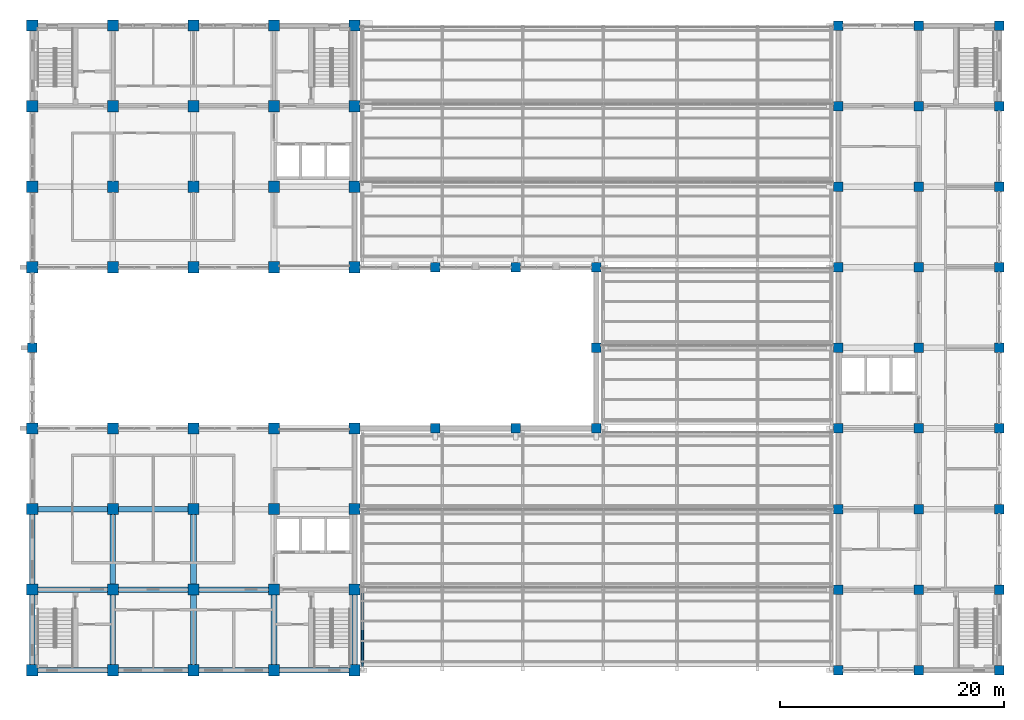
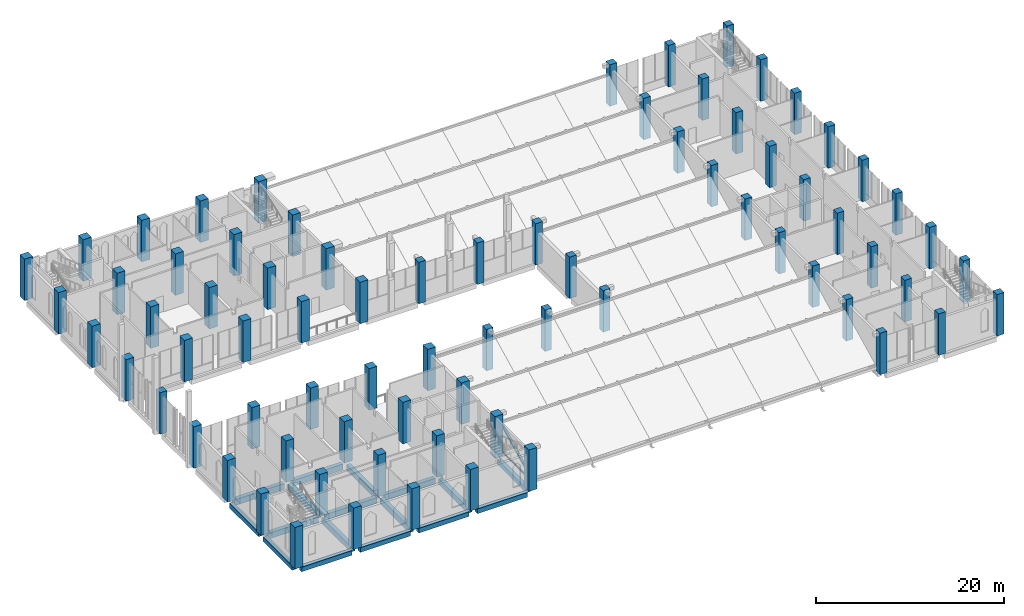
# One storey, part 1 of 83: 75 columns, 17 beams, 2 members.
"""IFC4 building model written with IfcOpenShell, lengths in metres."""

from ifc_helpers import new_model, si_unit, direction, frame, origin, origin_2d, place, context, subcontext, project, spatial, rectangle, hollow_rectangle, i_section, extrude, material, material_profile, profile_set, type_object, element, save


model = new_model("IFC4")

# Units and contexts
model_context = context("Model", 3, precision=1e-05, world=origin(), true_north=direction((0.0, 1.0)))
body_context = subcontext(model_context, "Body", "Model", "MODEL_VIEW")
ifc_project = project(units=[si_unit("LENGTHUNIT", "METRE"), si_unit("AREAUNIT", "SQUARE_METRE"), si_unit("VOLUMEUNIT", "CUBIC_METRE"), si_unit("PLANEANGLEUNIT", "RADIAN"), si_unit("MASSUNIT", "GRAM", prefix="KILO")], contexts=[model_context])

# Site, building, storey
site_placement = place(None, origin())
site = spatial("IfcSite", under=ifc_project, at=site_placement, CompositionType="ELEMENT")
building_placement = place(site_placement, origin())
building = spatial("IfcBuilding", under=site, at=building_placement, Name="Silangan Lancet Faculty of Sciences", CompositionType="ELEMENT")
storey_placement = place(building_placement, frame((0.0, 0.0, 11.39990234375)))
storey = spatial("IfcBuildingStorey", under=building, at=storey_placement, Name="L02", CompositionType="ELEMENT", Elevation=11.39990234375)

# Columns
ifc_material_1 = material(Name="Concrete C50/60", Category="concrete")
ifc_material_profile_1 = material_profile(ifc_material_1, rectangle(XDim=1.0, YDim=1.0, at=origin_2d()), Name="RC 1000x1000")
ifc_profile_set_1 = profile_set([ifc_material_profile_1], Name="Concrete C50/60")
column_type_1 = type_object("IfcColumnType", Name="COLUMN RC 1000x1000", PredefinedType="COLUMN", material=ifc_profile_set_1)
for number, where, z_axis, x_axis, name in (
    (1, (0.0, 0.0, 0.0), (0.0, 0.0, 1.0), (1.0, 0.0, 0.0), "COL-L02-1A"),
    (2, (0.0, 7.199951171875, 0.0), (0.0, 0.0, 1.0), (1.0, 0.0, 0.0), "COL-L02-1B"),
    (3, (0.0, 14.39990234375, 0.0), (0.0, 0.0, 1.0), (1.0, 0.0, 0.0), "COL-L02-1C"),
    (4, (0.0, 21.60009765625, 0.0), (0.0, 0.0, 1.0), (1.0, 0.0, 0.0), "COL-L02-1D"),
    (5, (0.0, 36.0, 0.0), (0.0, 0.0, 1.0), (1.0, 0.0, 0.0), "COL-L02-1F"),
    (6, (0.0, 43.199951171875, 0.0), (0.0, 0.0, 1.0), (1.0, 0.0, 0.0), "COL-L02-1G"),
    (7, (0.0, 50.39990234375, 0.0), (0.0, 0.0, 1.0), (1.0, 0.0, 0.0), "COL-L02-1H"),
    (8, (0.0, 57.60009765625, 0.0), (0.0, 0.0, 1.0), (1.0, 0.0, 0.0), "COL-L02-1I"),
    (9, (7.199951171875, 0.0, 0.0), (0.0, 0.0, 1.0), (1.0, 0.0, 0.0), "COL-L02-2A"),
    (10, (7.199951171875, 7.199951171875, 0.0), (0.0, 0.0, 1.0), (1.0, 0.0, 0.0), "COL-L02-2B"),
    (11, (7.199951171875, 14.39990234375, 0.0), (0.0, 0.0, 1.0), (1.0, 0.0, 0.0), "COL-L02-2C"),
    (12, (7.199951171875, 21.60009765625, 0.0), (0.0, 0.0, 1.0), (1.0, 0.0, 0.0), "COL-L02-2D"),
    (13, (7.199951171875, 36.0, 0.0), (0.0, 0.0, 1.0), (1.0, 0.0, 0.0), "COL-L02-2F"),
    (14, (7.199951171875, 43.199951171875, 0.0), (0.0, 0.0, 1.0), (1.0, 0.0, 0.0), "COL-L02-2G"),
    (15, (7.199951171875, 50.39990234375, 0.0), (0.0, 0.0, 1.0), (1.0, 0.0, 0.0), "COL-L02-2H"),
    (16, (7.199951171875, 57.60009765625, 0.0), (0.0, 0.0, 1.0), (1.0, 0.0, 0.0), "COL-L02-2I"),
    (17, (14.39990234375, 0.0, 0.0), (0.0, 0.0, 1.0), (1.0, 0.0, 0.0), "COL-L02-3A"),
    (18, (14.39990234375, 7.199951171875, 0.0), (0.0, 0.0, 1.0), (1.0, 0.0, 0.0), "COL-L02-3B"),
    (19, (14.39990234375, 14.39990234375, 0.0), (0.0, 0.0, 1.0), (1.0, 0.0, 0.0), "COL-L02-3C"),
    (20, (14.39990234375, 21.60009765625, 0.0), (0.0, 0.0, 1.0), (1.0, 0.0, 0.0), "COL-L02-3D"),
    (21, (14.39990234375, 36.0, 0.0), (0.0, 0.0, 1.0), (1.0, 0.0, 0.0), "COL-L02-3F"),
    (22, (14.39990234375, 43.199951171875, 0.0), (0.0, 0.0, 1.0), (1.0, 0.0, 0.0), "COL-L02-3G"),
    (23, (14.39990234375, 50.39990234375, 0.0), (0.0, 0.0, 1.0), (1.0, 0.0, 0.0), "COL-L02-3H"),
    (24, (14.39990234375, 57.60009765625, 0.0), (0.0, 0.0, 1.0), (1.0, 0.0, 0.0), "COL-L02-3I"),
    (25, (21.60009765625, 0.0, 0.0), (0.0, 0.0, 1.0), (1.0, 0.0, 0.0), "COL-L02-4A"),
    (26, (21.60009765625, 7.199951171875, 0.0), (0.0, 0.0, 1.0), (1.0, 0.0, 0.0), "COL-L02-4B"),
    (27, (21.60009765625, 14.39990234375, 0.0), (0.0, 0.0, 1.0), (1.0, 0.0, 0.0), "COL-L02-4C"),
    (28, (21.60009765625, 21.60009765625, 0.0), (0.0, 0.0, 1.0), (1.0, 0.0, 0.0), "COL-L02-4D"),
    (29, (21.60009765625, 36.0, 0.0), (0.0, 0.0, 1.0), (1.0, 0.0, 0.0), "COL-L02-4F"),
    (30, (21.60009765625, 43.199951171875, 0.0), (0.0, 0.0, 1.0), (1.0, 0.0, 0.0), "COL-L02-4G"),
    (31, (21.60009765625, 50.39990234375, 0.0), (0.0, 0.0, 1.0), (1.0, 0.0, 0.0), "COL-L02-4H"),
    (32, (21.60009765625, 57.60009765625, 0.0), (0.0, 0.0, 1.0), (1.0, 0.0, 0.0), "COL-L02-4I"),
    (33, (28.800048828125, 0.0, 0.0), (0.0, 0.0, 1.0), (1.0, 0.0, 0.0), "COL-L02-5A"),
    (34, (28.800048828125, 7.199951171875, 0.0), (0.0, 0.0, 1.0), (1.0, 0.0, 0.0), "COL-L02-5B"),
    (35, (28.800048828125, 14.39990234375, 0.0), (0.0, 0.0, 1.0), (1.0, 0.0, 0.0), "COL-L02-5C"),
    (36, (28.800048828125, 21.60009765625, 0.0), (0.0, 0.0, 1.0), (1.0, 0.0, 0.0), "COL-L02-5D"),
    (37, (28.800048828125, 36.0, 0.0), (0.0, 0.0, 1.0), (1.0, 0.0, 0.0), "COL-L02-5F"),
    (38, (28.800048828125, 43.199951171875, 0.0), (0.0, 0.0, 1.0), (1.0, 0.0, 0.0), "COL-L02-5G"),
    (39, (28.800048828125, 50.39990234375, 0.0), (0.0, 0.0, 1.0), (1.0, 0.0, 0.0), "COL-L02-5H"),
    (40, (28.800048828125, 57.60009765625, 0.0), (0.0, 0.0, 1.0), (1.0, 0.0, 0.0), "COL-L02-5I"),
):
    element("IfcColumn", number, at=place(storey_placement, frame(where, z_axis=z_axis, x_axis=x_axis)), inside=storey, type_object=column_type_1, Name=name, PredefinedType="COLUMN", context=body_context, shape_type="SweptSolid", body=[
        extrude(rectangle(XDim=1.0, YDim=1.0, at=origin_2d()), origin(), (0.0, 0.0, 1.0), 5.400146484375),
    ])
ifc_material_2 = material(Name="Concrete C40/50", Category="concrete")
ifc_material_profile_2 = material_profile(ifc_material_2, rectangle(XDim=0.85009765625, YDim=0.85009765625, at=origin_2d()), Name="RC 850x850")
ifc_profile_set_2 = profile_set([ifc_material_profile_2], Name="Concrete C40/50")
column_type_2 = type_object("IfcColumnType", Name="COLUMN RC 850x850", PredefinedType="COLUMN", material=ifc_profile_set_2)
for number, where, z_axis, x_axis, name in (
    (41, (0.0, 28.800048828125, 0.0), (0.0, 0.0, 1.0), (1.0, 0.0, 0.0), "COL-L02-1E"),
    (42, (36.0, 21.60009765625, 0.0), (0.0, 0.0, 1.0), (1.0, 0.0, 0.0), "COL-L02-6D"),
    (43, (36.0, 36.0, 0.0), (0.0, 0.0, 1.0), (1.0, 0.0, 0.0), "COL-L02-6F"),
    (44, (43.199951171875, 21.60009765625, 0.0), (0.0, 0.0, 1.0), (1.0, 0.0, 0.0), "COL-L02-7D"),
    (45, (43.199951171875, 36.0, 0.0), (0.0, 0.0, 1.0), (1.0, 0.0, 0.0), "COL-L02-7F"),
    (46, (50.39990234375, 21.60009765625, 0.0), (0.0, 0.0, 1.0), (1.0, 0.0, 0.0), "COL-L02-8D"),
    (47, (50.39990234375, 28.800048828125, 0.0), (0.0, 0.0, 1.0), (1.0, 0.0, 0.0), "COL-L02-8E"),
    (48, (50.39990234375, 36.0, 0.0), (0.0, 0.0, 1.0), (1.0, 0.0, 0.0), "COL-L02-8F"),
    (49, (72.0, 0.0, 0.0), (0.0, 0.0, 1.0), (1.0, 0.0, 0.0), "COL-L02-11A"),
    (50, (72.0, 7.199951171875, 0.0), (0.0, 0.0, 1.0), (1.0, 0.0, 0.0), "COL-L02-11B"),
    (51, (72.0, 14.39990234375, 0.0), (0.0, 0.0, 1.0), (1.0, 0.0, 0.0), "COL-L02-11C"),
    (52, (72.0, 21.60009765625, 0.0), (0.0, 0.0, 1.0), (1.0, 0.0, 0.0), "COL-L02-11D"),
    (53, (72.0, 28.800048828125, 0.0), (0.0, 0.0, 1.0), (1.0, 0.0, 0.0), "COL-L02-11E"),
    (54, (72.0, 36.0, 0.0), (0.0, 0.0, 1.0), (1.0, 0.0, 0.0), "COL-L02-11F"),
    (55, (72.0, 43.199951171875, 0.0), (0.0, 0.0, 1.0), (1.0, 0.0, 0.0), "COL-L02-11G"),
    (56, (72.0, 50.39990234375, 0.0), (0.0, 0.0, 1.0), (1.0, 0.0, 0.0), "COL-L02-11H"),
    (57, (72.0, 57.60009765625, 0.0), (0.0, 0.0, 1.0), (1.0, 0.0, 0.0), "COL-L02-11I"),
    (58, (79.199951171875, 0.0, 0.0), (0.0, 0.0, 1.0), (1.0, 0.0, 0.0), "COL-L02-12A"),
    (59, (79.199951171875, 7.199951171875, 0.0), (0.0, 0.0, 1.0), (1.0, 0.0, 0.0), "COL-L02-12B"),
    (60, (79.199951171875, 14.39990234375, 0.0), (0.0, 0.0, 1.0), (1.0, 0.0, 0.0), "COL-L02-12C"),
    (61, (79.199951171875, 21.60009765625, 0.0), (0.0, 0.0, 1.0), (1.0, 0.0, 0.0), "COL-L02-12D"),
    (62, (79.199951171875, 28.800048828125, 0.0), (0.0, 0.0, 1.0), (1.0, 0.0, 0.0), "COL-L02-12E"),
    (63, (79.199951171875, 36.0, 0.0), (0.0, 0.0, 1.0), (1.0, 0.0, 0.0), "COL-L02-12F"),
    (64, (79.199951171875, 43.199951171875, 0.0), (0.0, 0.0, 1.0), (1.0, 0.0, 0.0), "COL-L02-12G"),
    (65, (79.199951171875, 50.39990234375, 0.0), (0.0, 0.0, 1.0), (1.0, 0.0, 0.0), "COL-L02-12H"),
    (66, (79.199951171875, 57.60009765625, 0.0), (0.0, 0.0, 1.0), (1.0, 0.0, 0.0), "COL-L02-12I"),
    (67, (86.39990234375, 0.0, 0.0), (0.0, 0.0, 1.0), (1.0, 0.0, 0.0), "COL-L02-13A"),
    (68, (86.39990234375, 7.199951171875, 0.0), (0.0, 0.0, 1.0), (1.0, 0.0, 0.0), "COL-L02-13B"),
    (69, (86.39990234375, 14.39990234375, 0.0), (0.0, 0.0, 1.0), (1.0, 0.0, 0.0), "COL-L02-13C"),
    (70, (86.39990234375, 21.60009765625, 0.0), (0.0, 0.0, 1.0), (1.0, 0.0, 0.0), "COL-L02-13D"),
    (71, (86.39990234375, 28.800048828125, 0.0), (0.0, 0.0, 1.0), (1.0, 0.0, 0.0), "COL-L02-13E"),
    (72, (86.39990234375, 36.0, 0.0), (0.0, 0.0, 1.0), (1.0, 0.0, 0.0), "COL-L02-13F"),
    (73, (86.39990234375, 43.199951171875, 0.0), (0.0, 0.0, 1.0), (1.0, 0.0, 0.0), "COL-L02-13G"),
    (74, (86.39990234375, 50.39990234375, 0.0), (0.0, 0.0, 1.0), (1.0, 0.0, 0.0), "COL-L02-13H"),
    (75, (86.39990234375, 57.60009765625, 0.0), (0.0, 0.0, 1.0), (1.0, 0.0, 0.0), "COL-L02-13I"),
):
    element("IfcColumn", number, at=place(storey_placement, frame(where, z_axis=z_axis, x_axis=x_axis)), inside=storey, type_object=column_type_2, Name=name, PredefinedType="COLUMN", context=body_context, shape_type="SweptSolid", body=[
        extrude(rectangle(XDim=0.85009765625, YDim=0.85009765625, at=origin_2d()), origin(), (0.0, 0.0, 1.0), 5.400146484375),
    ])

# Beams
ifc_material_3 = material(Name="Concrete C40/50", Category="concrete")
ifc_material_profile_3 = material_profile(ifc_material_3, rectangle(XDim=0.5, YDim=0.60009765625, at=origin_2d()), Name="RC 500x600")
ifc_profile_set_3 = profile_set([ifc_material_profile_3], Name="Concrete C40/50")
beam_type_1 = type_object("IfcBeamType", Name="BEAM RC 500x600", PredefinedType="BEAM", material=ifc_profile_set_3)
for number, where, z_axis, x_axis, name in (
    (76, (0.5, 0.0, -0.5498046875), (1.0, 0.0, 0.0), (0.0, 1.0, 0.0), "BM-L02-1A-2A"),
    (77, (7.699951171875, 0.0, -0.5498046875), (1.0, 0.0, 0.0), (0.0, 1.0, 0.0), "BM-L02-2A-3A"),
):
    element("IfcBeam", number, at=place(storey_placement, frame(where, z_axis=z_axis, x_axis=x_axis)), inside=storey, type_object=beam_type_1, Name=name, PredefinedType="BEAM", context=body_context, shape_type="SweptSolid", body=[
        extrude(rectangle(XDim=0.5, YDim=0.60009765625, at=origin_2d()), origin(), (0.0, 0.0, 1.0), 6.199951171875),
    ])
beam_1_placement = place(storey_placement, frame((14.89990234375, 0.0, -0.5498046875), z_axis=(1.0, 0.0, 0.0), x_axis=(0.0, 1.0, 0.0)))
element("IfcBeam", 78, at=beam_1_placement, inside=storey, type_object=beam_type_1, Name="BM-L02-3A-4A", PredefinedType="BEAM", context=body_context, shape_type="SweptSolid", body=[
    extrude(rectangle(XDim=0.5, YDim=0.60009765625, at=origin_2d()), origin(), (0.0, 0.0, 1.0), 6.2001953125),
])
for number, where, z_axis, x_axis, name in (
    (79, (22.10009765625, 0.0, -0.5498046875), (1.0, 0.0, 0.0), (0.0, 1.0, 0.0), "BM-L02-4A-5A"),
    (80, (0.0, 0.5, -0.5498046875), (0.0, 1.0, 0.0), (-1.0, 0.0, 0.0), "BM-L02-1A-1B"),
    (81, (0.0, 7.699951171875, -0.5498046875), (0.0, 1.0, 0.0), (-1.0, 0.0, 0.0), "BM-L02-1B-1C"),
    (82, (28.800048828125, 0.5, -0.5498046875), (0.0, 1.0, 0.0), (-1.0, 0.0, 0.0), "BM-L02-5A-5B"),
):
    element("IfcBeam", number, at=place(storey_placement, frame(where, z_axis=z_axis, x_axis=x_axis)), inside=storey, type_object=beam_type_1, Name=name, PredefinedType="BEAM", context=body_context, shape_type="SweptSolid", body=[
        extrude(rectangle(XDim=0.5, YDim=0.60009765625, at=origin_2d()), origin(), (0.0, 0.0, 1.0), 6.199951171875),
    ])
ifc_material_4 = material(Name="Concrete C40/50", Category="concrete")
ifc_material_profile_4 = material_profile(ifc_material_4, rectangle(XDim=0.5, YDim=0.75, at=origin_2d()), Name="RC 500x750")
ifc_profile_set_4 = profile_set([ifc_material_profile_4], Name="Concrete C40/50")
beam_type_2 = type_object("IfcBeamType", Name="BEAM RC 500x750", PredefinedType="BEAM", material=ifc_profile_set_4)
for number, where, z_axis, x_axis, name in (
    (83, (0.5, 7.199951171875, -0.625), (1.0, 0.0, 0.0), (0.0, 1.0, 0.0), "BM-L02-1B-2B"),
    (84, (7.699951171875, 7.199951171875, -0.625), (1.0, 0.0, 0.0), (0.0, 1.0, 0.0), "BM-L02-2B-3B"),
):
    element("IfcBeam", number, at=place(storey_placement, frame(where, z_axis=z_axis, x_axis=x_axis)), inside=storey, type_object=beam_type_2, Name=name, PredefinedType="BEAM", context=body_context, shape_type="SweptSolid", body=[
        extrude(rectangle(XDim=0.5, YDim=0.75, at=origin_2d()), origin(), (0.0, 0.0, 1.0), 6.199951171875),
    ])
beam_2_placement = place(storey_placement, frame((14.89990234375, 7.199951171875, -0.625), z_axis=(1.0, 0.0, 0.0), x_axis=(0.0, 1.0, 0.0)))
element("IfcBeam", 85, at=beam_2_placement, inside=storey, type_object=beam_type_2, Name="BM-L02-3B-4B", PredefinedType="BEAM", context=body_context, shape_type="SweptSolid", body=[
    extrude(rectangle(XDim=0.5, YDim=0.75, at=origin_2d()), origin(), (0.0, 0.0, 1.0), 6.2001953125),
])
for number, where, z_axis, x_axis, name in (
    (86, (0.5, 14.39990234375, -0.625), (1.0, 0.0, 0.0), (0.0, 1.0, 0.0), "BM-L02-1C-2C"),
    (87, (7.699951171875, 14.39990234375, -0.625), (1.0, 0.0, 0.0), (0.0, 1.0, 0.0), "BM-L02-2C-3C"),
    (88, (7.199951171875, 0.5, -0.625), (0.0, 1.0, 0.0), (-1.0, 0.0, 0.0), "BM-L02-2A-2B"),
    (89, (7.199951171875, 7.699951171875, -0.625), (0.0, 1.0, 0.0), (-1.0, 0.0, 0.0), "BM-L02-2B-2C"),
    (90, (14.39990234375, 0.5, -0.625), (0.0, 1.0, 0.0), (-1.0, 0.0, 0.0), "BM-L02-3A-3B"),
    (91, (14.39990234375, 7.699951171875, -0.625), (0.0, 1.0, 0.0), (-1.0, 0.0, 0.0), "BM-L02-3B-3C"),
    (92, (21.60009765625, 0.5, -0.625), (0.0, 1.0, 0.0), (-1.0, 0.0, 0.0), "BM-L02-4A-4B"),
):
    element("IfcBeam", number, at=place(storey_placement, frame(where, z_axis=z_axis, x_axis=x_axis)), inside=storey, type_object=beam_type_2, Name=name, PredefinedType="BEAM", context=body_context, shape_type="SweptSolid", body=[
        extrude(rectangle(XDim=0.5, YDim=0.75, at=origin_2d()), origin(), (0.0, 0.0, 1.0), 6.199951171875),
    ])

# Members
ifc_material_5 = material(Name="Steel STKR400", Category="steel")
ifc_material_profile_5 = material_profile(ifc_material_5, hollow_rectangle(XDim=0.14990234375, YDim=0.14990234375, WallThickness=0.009033203125, InnerFilletRadius=0.009033203125, OuterFilletRadius=0.01806640625, at=origin_2d()), Name="SHS 150x150x9.0")
ifc_profile_set_5 = profile_set([ifc_material_profile_5], Name="Steel STKR400")
member_type_1 = type_object("IfcMemberType", Name="Truss bottom chord SHS 150x150x9.0", PredefinedType="CHORD", material=ifc_profile_set_5)
member_1_placement = place(storey_placement, frame((29.5, 0.22998046875, 0.09521484375), z_axis=(0.0, 1.0, 0.0), x_axis=(-1.0, 0.0, 0.0)))
element("IfcMember", 93, at=member_1_placement, inside=storey, type_object=member_type_1, Name="Truss 1 bottom chord 1", PredefinedType="CHORD", context=body_context, shape_type="SweptSolid", body=[
    extrude(hollow_rectangle(XDim=0.14990234375, YDim=0.14990234375, WallThickness=0.009033203125, InnerFilletRadius=0.009033203125, OuterFilletRadius=0.01806640625, at=origin_2d()), origin(), (0.0, 0.0, 1.0), 6.961669921875),
])
ifc_material_6 = material(Name="Steel SS400", Category="steel")
ifc_material_profile_6 = material_profile(ifc_material_6, i_section(OverallWidth=0.25, OverallDepth=0.25, WebThickness=0.009033203125, FlangeThickness=0.013916015625, FilletRadius=0.01611328125, at=origin_2d()), Name="H 250x250x9x14")
ifc_profile_set_6 = profile_set([ifc_material_profile_6], Name="Steel SS400")
member_type_2 = type_object("IfcMemberType", Name="Truss top chord H 250x250x9x14", PredefinedType="CHORD", material=ifc_profile_set_6)
member_2_placement = place(storey_placement, frame((29.5, 0.310546875, 0.13525390625), z_axis=(0.0, 0.894420844124, 0.447226289027), x_axis=(-1.0, 0.0, 0.0)))
element("IfcMember", 94, at=member_2_placement, inside=storey, type_object=member_type_2, Name="Truss 1 top chord 1", PredefinedType="CHORD", context=body_context, shape_type="SweptSolid", body=[
    extrude(i_section(OverallWidth=0.25, OverallDepth=0.25, WebThickness=0.009033203125, FlangeThickness=0.013916015625, FilletRadius=0.01611328125, at=origin_2d()), origin(), (0.0, 0.0, 1.0), 7.693359375),
])

save(model, "model.ifc")
